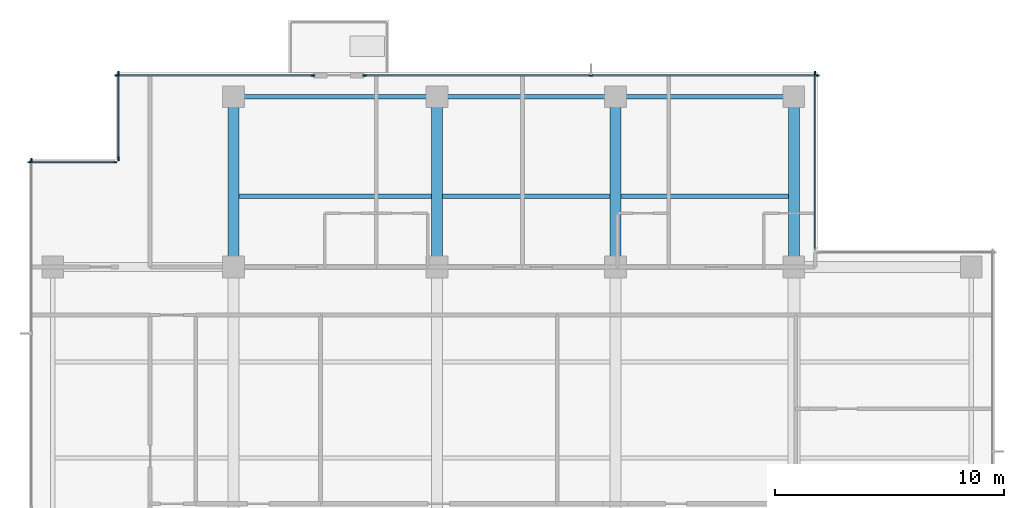
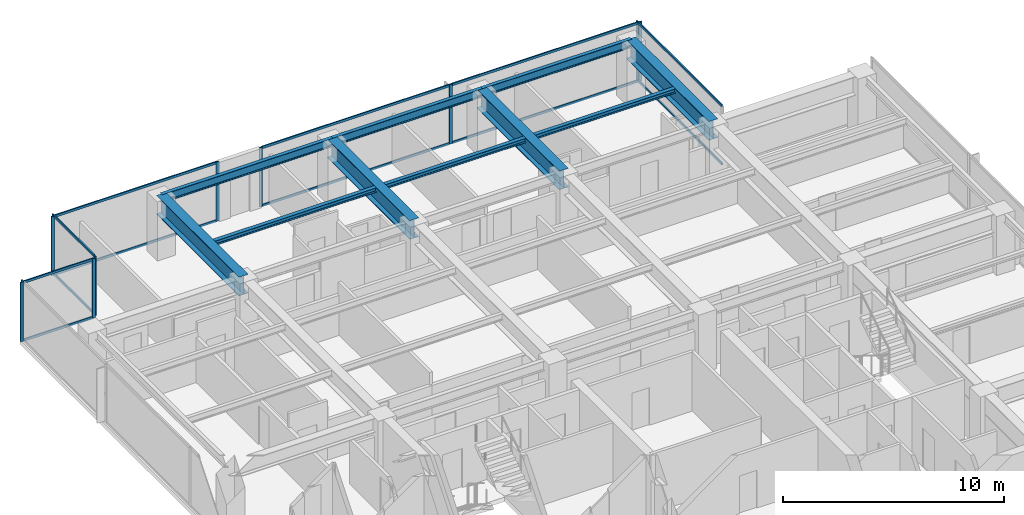
# One storey, part 5 of 14: 23 members, 10 beams, 6 elements without a shape of their own.
"""IFC4 building model written with IfcOpenShell, lengths in metres."""

from ifc_helpers import new_model, si_unit, direction, frame, origin, origin_2d, place, context, subcontext, project, spatial, rectangle, i_section, extrude, material, layer, layer_set, material_profile, profile_set, type_object, element, aggregate, save


model = new_model("IFC4")

# Units and contexts
model_context = context("Model", 3, precision=1e-05, world=origin(), true_north=direction((0.0, 1.0)))
body_context = subcontext(model_context, "Body", "Model", "MODEL_VIEW")
ifc_project = project(units=[si_unit("LENGTHUNIT", "METRE"), si_unit("AREAUNIT", "SQUARE_METRE"), si_unit("VOLUMEUNIT", "CUBIC_METRE"), si_unit("PLANEANGLEUNIT", "RADIAN"), si_unit("MASSUNIT", "GRAM", prefix="KILO")], contexts=[model_context])

# Site, building, storey
site_placement = place(None, origin())
site = spatial("IfcSite", under=ifc_project, at=site_placement, CompositionType="ELEMENT")
building_placement = place(site_placement, origin())
building = spatial("IfcBuilding", under=site, at=building_placement, Name="Qalmaran Belvedere Hotel", CompositionType="ELEMENT")
storey_placement = place(building_placement, frame((0.0, 0.0, 235.39990234375)))
storey = spatial("IfcBuildingStorey", under=building, at=storey_placement, Name="L60", CompositionType="ELEMENT", Elevation=235.39990234375)

# Beams
ifc_material_1 = material(Name="Steel S355JR", Category="steel")
ifc_material_profile_1 = material_profile(ifc_material_1, i_section(OverallWidth=0.201904296875, OverallDepth=0.2470703125, WebThickness=0.00732421875, FlangeThickness=0.010986328125, FilletRadius=0.011962890625, at=origin_2d()), Name="W250X49")
ifc_profile_set_1 = profile_set([ifc_material_profile_1], Name="Steel S355JR")
beam_type_1 = type_object("IfcBeamType", Name="BM-JST-W250X49", PredefinedType="JOIST", material=ifc_profile_set_1)
beam_1_placement = place(storey_placement, frame((20.5380859375, 36.10009765625, 3.13671875), z_axis=(1.0, 0.0, 0.0), x_axis=(0.0, 1.0, 0.0)))
element("IfcBeam", 1, at=beam_1_placement, inside=storey, type_object=beam_type_1, Name="L60 North Floor Joist 042", PredefinedType="JOIST", context=body_context, shape_type="SweptSolid", body=[
    extrude(i_section(OverallWidth=0.201904296875, OverallDepth=0.2470703125, WebThickness=0.00732421875, FlangeThickness=0.010986328125, FilletRadius=0.011962890625, at=origin_2d()), origin(), (0.0, 0.0, 1.0), 8.423828125),
])
for number, where, z_axis, x_axis, name in (
    (2, (29.43798828125, 36.10009765625, 3.13671875), (1.0, 0.0, 0.0), (0.0, 1.0, 0.0), "L60 North Floor Joist 043"),
    (3, (37.238037109375, 36.10009765625, 3.13671875), (1.0, 0.0, 0.0), (0.0, 1.0, 0.0), "L60 North Floor Joist 044"),
):
    element("IfcBeam", number, at=place(storey_placement, frame(where, z_axis=z_axis, x_axis=x_axis)), inside=storey, type_object=beam_type_1, Name=name, PredefinedType="JOIST", context=body_context, shape_type="SweptSolid", body=[
        extrude(i_section(OverallWidth=0.201904296875, OverallDepth=0.2470703125, WebThickness=0.00732421875, FlangeThickness=0.010986328125, FilletRadius=0.011962890625, at=origin_2d()), origin(), (0.0, 0.0, 1.0), 7.323974609375),
    ])
ifc_material_profile_2 = material_profile(ifc_material_1, i_section(OverallWidth=0.19189453125, OverallDepth=0.462890625, WebThickness=0.010498046875, FlangeThickness=0.017578125, FilletRadius=0.01611328125, at=origin_2d()), Name="W460X89")
ifc_profile_set_2 = profile_set([ifc_material_profile_2], Name="Steel S355JR")
beam_type_2 = type_object("IfcBeamType", Name="BM-SP2-W460X89", PredefinedType="SPANDREL", material=ifc_profile_set_2)
beam_2_placement = place(storey_placement, frame((20.300048828125, 40.449951171875, 3.028564453125), z_axis=(1.0, 0.0, 0.0), x_axis=(0.0, 1.0, 0.0)))
element("IfcBeam", 4, at=beam_2_placement, inside=storey, type_object=beam_type_2, Name="L60 Perimeter Spandrel 05", PredefinedType="SPANDREL", context=body_context, shape_type="SweptSolid", body=[
    extrude(i_section(OverallWidth=0.19189453125, OverallDepth=0.462890625, WebThickness=0.010498046875, FlangeThickness=0.017578125, FilletRadius=0.01611328125, at=origin_2d()), origin(), (0.0, 0.0, 1.0), 8.89990234375),
])
for number, where, z_axis, x_axis, name in (
    (5, (29.199951171875, 40.449951171875, 3.028564453125), (1.0, 0.0, 0.0), (0.0, 1.0, 0.0), "L60 Perimeter Spandrel 06"),
    (6, (37.0, 40.449951171875, 3.028564453125), (1.0, 0.0, 0.0), (0.0, 1.0, 0.0), "L60 Perimeter Spandrel 07"),
):
    element("IfcBeam", number, at=place(storey_placement, frame(where, z_axis=z_axis, x_axis=x_axis)), inside=storey, type_object=beam_type_2, Name=name, PredefinedType="SPANDREL", context=body_context, shape_type="SweptSolid", body=[
        extrude(i_section(OverallWidth=0.19189453125, OverallDepth=0.462890625, WebThickness=0.010498046875, FlangeThickness=0.017578125, FilletRadius=0.01611328125, at=origin_2d()), origin(), (0.0, 0.0, 1.0), 7.800048828125),
    ])
ifc_material_profile_3 = material_profile(ifc_material_1, i_section(OverallWidth=0.47998046875, OverallDepth=1.0400390625, WebThickness=0.02197265625, FlangeThickness=0.033935546875, at=origin_2d()), Name="PG1040X480X34")
ifc_profile_set_3 = profile_set([ifc_material_profile_3], Name="Steel S355JR")
beam_type_3 = type_object("IfcBeamType", Name="BM-TG8-PG1040X480", PredefinedType="USERDEFINED", material=ifc_profile_set_3)
for number, where, z_axis, x_axis, name in (
    (7, (20.300048828125, 33.0, 2.739990234375), (0.0, 1.0, 0.0), (-1.0, 0.0, 0.0), "L60 North Bay Setback Transfer Girder 15"),
    (8, (29.199951171875, 33.0, 2.739990234375), (0.0, 1.0, 0.0), (-1.0, 0.0, 0.0), "L60 North Bay Setback Transfer Girder 17"),
    (9, (37.0, 33.0, 2.739990234375), (0.0, 1.0, 0.0), (-1.0, 0.0, 0.0), "L60 North Bay Setback Transfer Girder 19"),
    (10, (44.800048828125, 33.0, 2.739990234375), (0.0, 1.0, 0.0), (-1.0, 0.0, 0.0), "L60 North Bay Setback Transfer Girder 21"),
):
    element("IfcBeam", number, at=place(storey_placement, frame(where, z_axis=z_axis, x_axis=x_axis)), inside=storey, type_object=beam_type_3, Name=name, ObjectType="GIRDER", PredefinedType="USERDEFINED", context=body_context, shape_type="SweptSolid", body=[
        extrude(i_section(OverallWidth=0.47998046875, OverallDepth=1.0400390625, WebThickness=0.02197265625, FlangeThickness=0.033935546875, at=origin_2d()), origin(), (0.0, 0.0, 1.0), 7.449951171875),
    ])

# Curtain wall, member
ifc_material_2 = material(Name="Anodised Bronze Aluminium", Category="aluminium")
ifc_layer = layer(ifc_material_2, 0.18994140625, Name="Anodised Bronze Aluminium")
ifc_layer_set = layer_set([ifc_layer], Name="Anodised Bronze Aluminium")
curtain_wall_type = type_object("IfcCurtainWallType", Name="CW5-TOWER-UPPER", PredefinedType="NOTDEFINED", material=ifc_layer_set)
curtain_wall_1_placement = place(storey_placement, origin())
curtain_wall_1 = element("IfcCurtainWall", 11, at=curtain_wall_1_placement, inside=storey, type_object=curtain_wall_type, Name="L60 Curtain Wall CW5", PredefinedType="NOTDEFINED")
ifc_material_profile_4 = material_profile(ifc_material_2, rectangle(XDim=0.06494140625, YDim=0.1650390625, at=origin_2d()), Name="CWM65X165")
ifc_profile_set_4 = profile_set([ifc_material_profile_4], Name="Anodised Bronze Aluminium")
member_type_1 = type_object("IfcMemberType", Name="CWM-65X165", PredefinedType="MULLION", material=ifc_profile_set_4)
member_1_placement = place(storey_placement, frame((45.72998046875, 41.467529296875, 0.0), z_axis=(0.0, 0.0, 1.0), x_axis=(-1.0, 0.0, 0.0)))
member_1 = element("IfcMember", 12, at=member_1_placement, type_object=member_type_1, Name="CW5 mullion 2", PredefinedType="MULLION", context=body_context, shape_type="SweptSolid", body=[
    extrude(rectangle(XDim=0.06494140625, YDim=0.1650390625, at=origin_2d()), origin(), (0.0, 0.0, 1.0), 3.260009765625),
])

# Curtain wall, members
curtain_wall_2_placement = place(storey_placement, origin())
curtain_wall_2 = element("IfcCurtainWall", 13, at=curtain_wall_2_placement, inside=storey, type_object=curtain_wall_type, Name="L60 Curtain Wall CW5", PredefinedType="NOTDEFINED")
member_2_placement = place(storey_placement, frame((23.767578125, 41.3798828125, 0.0), z_axis=(0.0, 0.0, 1.0), x_axis=(0.0, -1.0, 0.0)))
member_2 = element("IfcMember", 14, at=member_2_placement, type_object=member_type_1, Name="CW5 mullion 1", PredefinedType="MULLION", context=body_context, shape_type="SweptSolid", body=[
    extrude(rectangle(XDim=0.06494140625, YDim=0.1650390625, at=origin_2d()), origin(), (0.0, 0.0, 1.0), 3.260009765625),
])
member_3_placement = place(storey_placement, frame((15.1826171875, 41.3798828125, 0.0), z_axis=(0.0, 0.0, 1.0), x_axis=(0.0, -1.0, 0.0)))
member_3 = element("IfcMember", 15, at=member_3_placement, type_object=member_type_1, Name="CW5 mullion 2", PredefinedType="MULLION", context=body_context, shape_type="SweptSolid", body=[
    extrude(rectangle(XDim=0.06494140625, YDim=0.1650390625, at=origin_2d()), origin(), (0.0, 0.0, 1.0), 3.260009765625),
])

curtain_wall_3_placement = place(storey_placement, origin())
curtain_wall_3 = element("IfcCurtainWall", 16, at=curtain_wall_3_placement, inside=storey, type_object=curtain_wall_type, Name="L60 Curtain Wall CW5", PredefinedType="NOTDEFINED")
member_4_placement = place(storey_placement, frame((45.8173828125, 41.3798828125, 0.0), z_axis=(0.0, 0.0, 1.0), x_axis=(0.0, -1.0, 0.0)))
member_4 = element("IfcMember", 17, at=member_4_placement, type_object=member_type_1, Name="CW5 mullion 1", PredefinedType="MULLION", context=body_context, shape_type="SweptSolid", body=[
    extrude(rectangle(XDim=0.06494140625, YDim=0.1650390625, at=origin_2d()), origin(), (0.0, 0.0, 1.0), 3.260009765625),
])
member_5_placement = place(storey_placement, frame((35.925048828125, 41.3798828125, 0.0), z_axis=(0.0, 0.0, 1.0), x_axis=(0.0, -1.0, 0.0)))
member_5 = element("IfcMember", 18, at=member_5_placement, type_object=member_type_1, Name="CW5 mullion 2", PredefinedType="MULLION", context=body_context, shape_type="SweptSolid", body=[
    extrude(rectangle(XDim=0.06494140625, YDim=0.1650390625, at=origin_2d()), origin(), (0.0, 0.0, 1.0), 3.260009765625),
])
member_6_placement = place(storey_placement, frame((26.032470703125, 41.3798828125, 0.0), z_axis=(0.0, 0.0, 1.0), x_axis=(0.0, -1.0, 0.0)))
member_6 = element("IfcMember", 19, at=member_6_placement, type_object=member_type_1, Name="CW5 mullion 3", PredefinedType="MULLION", context=body_context, shape_type="SweptSolid", body=[
    extrude(rectangle(XDim=0.06494140625, YDim=0.1650390625, at=origin_2d()), origin(), (0.0, 0.0, 1.0), 3.260009765625),
])

curtain_wall_4_placement = place(storey_placement, origin())
curtain_wall_4 = element("IfcCurtainWall", 20, at=curtain_wall_4_placement, inside=storey, type_object=curtain_wall_type, Name="L60 Curtain Wall CW5", PredefinedType="NOTDEFINED")
member_7_placement = place(storey_placement, frame((15.27001953125, 41.467529296875, 0.0), z_axis=(0.0, 0.0, 1.0), x_axis=(1.0, 0.0, 0.0)))
member_7 = element("IfcMember", 21, at=member_7_placement, type_object=member_type_1, Name="CW5 mullion 1", PredefinedType="MULLION", context=body_context, shape_type="SweptSolid", body=[
    extrude(rectangle(XDim=0.06494140625, YDim=0.1650390625, at=origin_2d()), origin(), (0.0, 0.0, 1.0), 3.260009765625),
])
member_8_placement = place(storey_placement, frame((15.27001953125, 37.732421875, 0.0), z_axis=(0.0, 0.0, 1.0), x_axis=(1.0, 0.0, 0.0)))
member_8 = element("IfcMember", 22, at=member_8_placement, type_object=member_type_1, Name="CW5 mullion 2", PredefinedType="MULLION", context=body_context, shape_type="SweptSolid", body=[
    extrude(rectangle(XDim=0.06494140625, YDim=0.1650390625, at=origin_2d()), origin(), (0.0, 0.0, 1.0), 3.260009765625),
])

curtain_wall_5_placement = place(storey_placement, origin())
curtain_wall_5 = element("IfcCurtainWall", 23, at=curtain_wall_5_placement, inside=storey, type_object=curtain_wall_type, Name="L60 Curtain Wall CW5", PredefinedType="NOTDEFINED")
member_9_placement = place(storey_placement, frame((15.117431640625, 37.580078125, 0.0), z_axis=(0.0, 0.0, 1.0), x_axis=(0.0, -1.0, 0.0)))
member_9 = element("IfcMember", 24, at=member_9_placement, type_object=member_type_1, Name="CW5 mullion 1", PredefinedType="MULLION", context=body_context, shape_type="SweptSolid", body=[
    extrude(rectangle(XDim=0.06494140625, YDim=0.1650390625, at=origin_2d()), origin(), (0.0, 0.0, 1.0), 3.260009765625),
])
member_10_placement = place(storey_placement, frame((11.382568359375, 37.580078125, 0.0), z_axis=(0.0, 0.0, 1.0), x_axis=(0.0, -1.0, 0.0)))
member_10 = element("IfcMember", 25, at=member_10_placement, type_object=member_type_1, Name="CW5 mullion 2", PredefinedType="MULLION", context=body_context, shape_type="SweptSolid", body=[
    extrude(rectangle(XDim=0.06494140625, YDim=0.1650390625, at=origin_2d()), origin(), (0.0, 0.0, 1.0), 3.260009765625),
])

# Curtain wall, member
curtain_wall_6_placement = place(storey_placement, origin())
curtain_wall_6 = element("IfcCurtainWall", 26, at=curtain_wall_6_placement, inside=storey, type_object=curtain_wall_type, Name="L60 Curtain Wall CW5", PredefinedType="NOTDEFINED")
member_11_placement = place(storey_placement, frame((11.469970703125, 37.66748046875, 0.0), z_axis=(0.0, 0.0, 1.0), x_axis=(1.0, 0.0, 0.0)))
member_11 = element("IfcMember", 27, at=member_11_placement, type_object=member_type_1, Name="CW5 mullion 1", PredefinedType="MULLION", context=body_context, shape_type="SweptSolid", body=[
    extrude(rectangle(XDim=0.06494140625, YDim=0.1650390625, at=origin_2d()), origin(), (0.0, 0.0, 1.0), 3.260009765625),
])
aggregate(curtain_wall_6, [member_11])

# Member
ifc_material_profile_5 = material_profile(ifc_material_2, rectangle(XDim=0.06494140625, YDim=0.1298828125, at=origin_2d()), Name="CWT65X130")
ifc_profile_set_5 = profile_set([ifc_material_profile_5], Name="Anodised Bronze Aluminium")
member_type_2 = type_object("IfcMemberType", Name="CWT-65X130", PredefinedType="USERDEFINED", material=ifc_profile_set_5)
member_12_placement = place(storey_placement, frame((45.72998046875, 33.81494140625, 0.03271484375), z_axis=(0.0, 1.0, 0.0), x_axis=(-1.0, 0.0, 0.0)))
member_12 = element("IfcMember", 28, at=member_12_placement, type_object=member_type_2, Name="CW5 transom 1.1", ObjectType="TRANSOM", PredefinedType="USERDEFINED", context=body_context, shape_type="SweptSolid", body=[
    extrude(rectangle(XDim=0.06494140625, YDim=0.1298828125, at=origin_2d()), origin(), (0.0, 0.0, 1.0), 7.6201171875),
])

member_13_placement = place(storey_placement, frame((45.72998046875, 33.81494140625, 3.2275390625), z_axis=(0.0, 1.0, 0.0), x_axis=(-1.0, 0.0, 0.0)))
member_13 = element("IfcMember", 29, at=member_13_placement, type_object=member_type_2, Name="CW5 transom 1.2", ObjectType="TRANSOM", PredefinedType="USERDEFINED", context=body_context, shape_type="SweptSolid", body=[
    extrude(rectangle(XDim=0.06494140625, YDim=0.1298828125, at=origin_2d()), origin(), (0.0, 0.0, 1.0), 7.6201171875),
])

aggregate(curtain_wall_1, [member_1, member_12, member_13])

member_14_placement = place(storey_placement, frame((23.735107421875, 41.3798828125, 0.03271484375), z_axis=(-1.0, 0.0, 0.0), x_axis=(0.0, -1.0, 0.0)))
member_14 = element("IfcMember", 30, at=member_14_placement, type_object=member_type_2, Name="CW5 transom 1.1", ObjectType="TRANSOM", PredefinedType="USERDEFINED", context=body_context, shape_type="SweptSolid", body=[
    extrude(rectangle(XDim=0.06494140625, YDim=0.1298828125, at=origin_2d()), origin(), (0.0, 0.0, 1.0), 8.52001953125),
])

member_15_placement = place(storey_placement, frame((23.735107421875, 41.3798828125, 3.2275390625), z_axis=(-1.0, 0.0, 0.0), x_axis=(0.0, -1.0, 0.0)))
member_15 = element("IfcMember", 31, at=member_15_placement, type_object=member_type_2, Name="CW5 transom 1.2", ObjectType="TRANSOM", PredefinedType="USERDEFINED", context=body_context, shape_type="SweptSolid", body=[
    extrude(rectangle(XDim=0.06494140625, YDim=0.1298828125, at=origin_2d()), origin(), (0.0, 0.0, 1.0), 8.52001953125),
])

aggregate(curtain_wall_2, [member_2, member_3, member_14, member_15])

member_16_placement = place(storey_placement, frame((45.784912109375, 41.3798828125, 0.03271484375), z_axis=(-1.0, 0.0, 0.0), x_axis=(0.0, -1.0, 0.0)))
member_16 = element("IfcMember", 32, at=member_16_placement, type_object=member_type_2, Name="CW5 transom 1.1", ObjectType="TRANSOM", PredefinedType="USERDEFINED", context=body_context, shape_type="SweptSolid", body=[
    extrude(rectangle(XDim=0.06494140625, YDim=0.1298828125, at=origin_2d()), origin(), (0.0, 0.0, 1.0), 9.827392578125),
])

member_17_placement = place(storey_placement, frame((45.784912109375, 41.3798828125, 3.2275390625), z_axis=(-1.0, 0.0, 0.0), x_axis=(0.0, -1.0, 0.0)))
member_17 = element("IfcMember", 33, at=member_17_placement, type_object=member_type_2, Name="CW5 transom 1.2", ObjectType="TRANSOM", PredefinedType="USERDEFINED", context=body_context, shape_type="SweptSolid", body=[
    extrude(rectangle(XDim=0.06494140625, YDim=0.1298828125, at=origin_2d()), origin(), (0.0, 0.0, 1.0), 9.827392578125),
])

member_18_placement = place(storey_placement, frame((35.892578125, 41.3798828125, 0.03271484375), z_axis=(-1.0, 0.0, 0.0), x_axis=(0.0, -1.0, 0.0)))
member_18 = element("IfcMember", 34, at=member_18_placement, type_object=member_type_2, Name="CW5 transom 2.1", ObjectType="TRANSOM", PredefinedType="USERDEFINED", context=body_context, shape_type="SweptSolid", body=[
    extrude(rectangle(XDim=0.06494140625, YDim=0.1298828125, at=origin_2d()), origin(), (0.0, 0.0, 1.0), 9.82763671875),
])

member_19_placement = place(storey_placement, frame((35.892578125, 41.3798828125, 3.2275390625), z_axis=(-1.0, 0.0, 0.0), x_axis=(0.0, -1.0, 0.0)))
member_19 = element("IfcMember", 35, at=member_19_placement, type_object=member_type_2, Name="CW5 transom 2.2", ObjectType="TRANSOM", PredefinedType="USERDEFINED", context=body_context, shape_type="SweptSolid", body=[
    extrude(rectangle(XDim=0.06494140625, YDim=0.1298828125, at=origin_2d()), origin(), (0.0, 0.0, 1.0), 9.82763671875),
])

aggregate(curtain_wall_3, [member_4, member_5, member_6, member_16, member_17, member_18, member_19])

member_20_placement = place(storey_placement, frame((15.27001953125, 41.43505859375, 0.03271484375), z_axis=(0.0, -1.0, 0.0), x_axis=(1.0, 0.0, 0.0)))
member_20 = element("IfcMember", 36, at=member_20_placement, type_object=member_type_2, Name="CW5 transom 1.1", ObjectType="TRANSOM", PredefinedType="USERDEFINED", context=body_context, shape_type="SweptSolid", body=[
    extrude(rectangle(XDim=0.06494140625, YDim=0.1298828125, at=origin_2d()), origin(), (0.0, 0.0, 1.0), 3.670166015625),
])

member_21_placement = place(storey_placement, frame((15.27001953125, 41.43505859375, 3.2275390625), z_axis=(0.0, -1.0, 0.0), x_axis=(1.0, 0.0, 0.0)))
member_21 = element("IfcMember", 37, at=member_21_placement, type_object=member_type_2, Name="CW5 transom 1.2", ObjectType="TRANSOM", PredefinedType="USERDEFINED", context=body_context, shape_type="SweptSolid", body=[
    extrude(rectangle(XDim=0.06494140625, YDim=0.1298828125, at=origin_2d()), origin(), (0.0, 0.0, 1.0), 3.670166015625),
])

aggregate(curtain_wall_4, [member_7, member_8, member_20, member_21])

member_22_placement = place(storey_placement, frame((15.0849609375, 37.580078125, 0.03271484375), z_axis=(-1.0, 0.0, 0.0), x_axis=(0.0, -1.0, 0.0)))
member_22 = element("IfcMember", 38, at=member_22_placement, type_object=member_type_2, Name="CW5 transom 1.1", ObjectType="TRANSOM", PredefinedType="USERDEFINED", context=body_context, shape_type="SweptSolid", body=[
    extrude(rectangle(XDim=0.06494140625, YDim=0.1298828125, at=origin_2d()), origin(), (0.0, 0.0, 1.0), 3.669921875),
])

member_23_placement = place(storey_placement, frame((15.0849609375, 37.580078125, 3.2275390625), z_axis=(-1.0, 0.0, 0.0), x_axis=(0.0, -1.0, 0.0)))
member_23 = element("IfcMember", 39, at=member_23_placement, type_object=member_type_2, Name="CW5 transom 1.2", ObjectType="TRANSOM", PredefinedType="USERDEFINED", context=body_context, shape_type="SweptSolid", body=[
    extrude(rectangle(XDim=0.06494140625, YDim=0.1298828125, at=origin_2d()), origin(), (0.0, 0.0, 1.0), 3.669921875),
])

aggregate(curtain_wall_5, [member_9, member_10, member_22, member_23])

save(model, "model.ifc")
